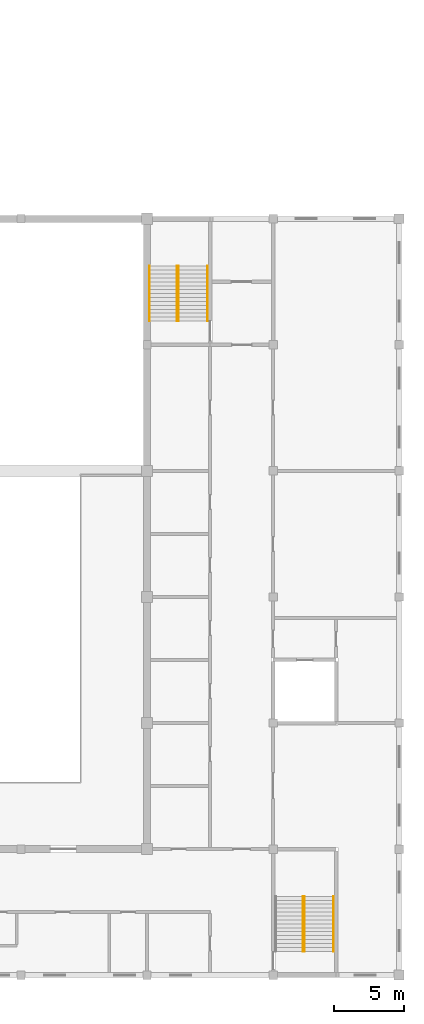
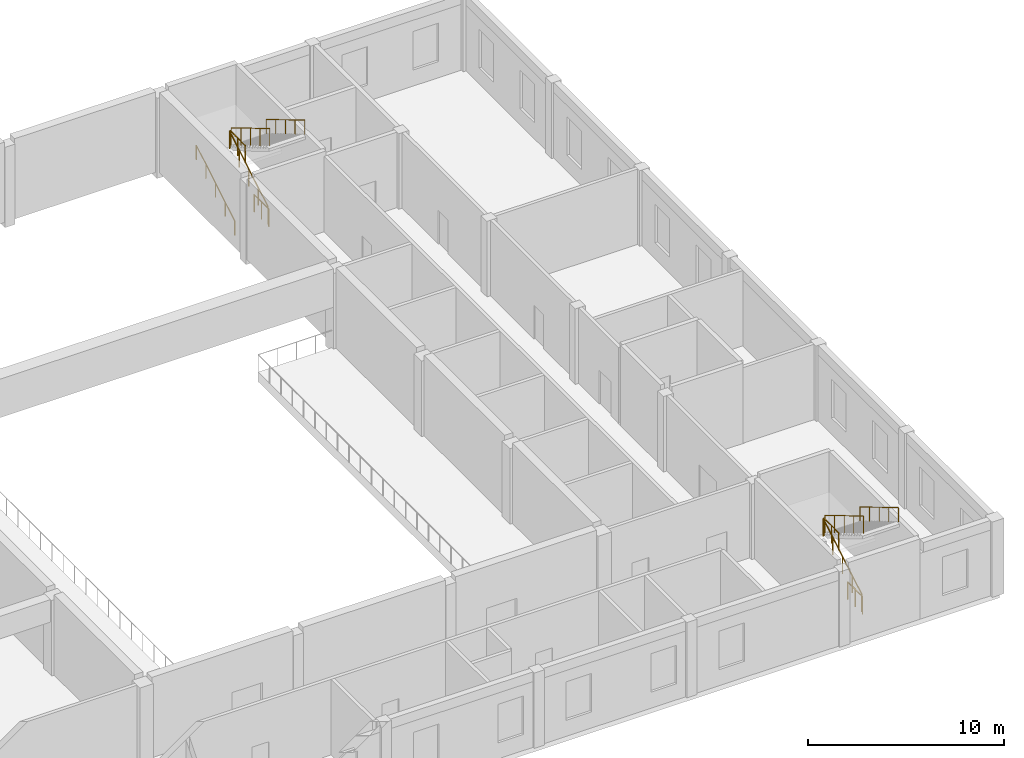
# One storey, part 33 of 34: 11 railings.
"""IFC4 building model written with IfcOpenShell, lengths in metres."""

from ifc_helpers import new_model, si_unit, direction, frame, origin, origin_2d, place, context, subcontext, project, spatial, circle, extrude, material, type_object, element, save


model = new_model("IFC4")

# Units and contexts
model_context = context("Model", 3, precision=1e-05, world=origin(), true_north=direction((0.0, 1.0)))
body_context = subcontext(model_context, "Body", "Model", "MODEL_VIEW")
ifc_project = project(units=[si_unit("LENGTHUNIT", "METRE"), si_unit("AREAUNIT", "SQUARE_METRE"), si_unit("VOLUMEUNIT", "CUBIC_METRE"), si_unit("PLANEANGLEUNIT", "RADIAN"), si_unit("MASSUNIT", "GRAM", prefix="KILO")], contexts=[model_context])

# Site, building, storey
site_placement = place(None, origin())
site = spatial("IfcSite", under=ifc_project, at=site_placement, CompositionType="ELEMENT")
building_placement = place(site_placement, origin())
building = spatial("IfcBuilding", under=site, at=building_placement, Name="Firuza Court", CompositionType="ELEMENT")
storey_placement = place(building_placement, frame((0.0, 0.0, 19.0)))
storey = spatial("IfcBuildingStorey", under=building, at=storey_placement, Name="L03", CompositionType="ELEMENT", Elevation=19.0)

# Railings
ifc_material_1 = material(Name="Steel S355", Category="steel")
railing_type_1 = type_object("IfcRailingType", Name="HALL HANDRAIL 900", PredefinedType="HANDRAIL", material=ifc_material_1)
railing_1_placement = place(storey_placement, frame((148.31005859375, -3.3798828125, 2.666748046875)))
element("IfcRailing", 1, at=railing_1_placement, inside=storey, type_object=railing_type_1, Name="Stair H2 flight 2 handrail L03", PredefinedType="HANDRAIL", context=body_context, shape_type="SweptSolid", body=[
    extrude(circle(Radius=0.02099609375, at=origin_2d()), frame((0.0, 0.0, 0.87890625), z_axis=(0.0, -0.859310244771, 0.511454693235), x_axis=(1.0, 0.0, 0.0)), (0.0, 0.0, 1.0), 4.56201171875),
    extrude(circle(Radius=0.02001953125, at=origin_2d()), origin(), (0.0, 0.0, 1.0), 0.85791015625),
    extrude(circle(Radius=0.02001953125, at=origin_2d()), frame((0.0, -0.97998046875, 0.583251953125)), (0.0, 0.0, 1.0), 0.85791015625),
    extrude(circle(Radius=0.02001953125, at=origin_2d()), frame((0.0, -1.9599609375, 1.16650390625)), (0.0, 0.0, 1.0), 0.85791015625),
    extrude(circle(Radius=0.02001953125, at=origin_2d()), frame((0.0, -2.940185546875, 1.75)), (0.0, 0.0, 1.0), 0.85791015625),
    extrude(circle(Radius=0.02001953125, at=origin_2d()), frame((0.0, -3.920166015625, 2.333251953125)), (0.0, 0.0, 1.0), 0.85791015625),
])
railing_2_placement = place(storey_placement, frame((135.18994140625, 37.699951171875, 0.166748046875)))
element("IfcRailing", 2, at=railing_2_placement, inside=storey, type_object=railing_type_1, Name="Stair H4 flight 1 handrail L03", PredefinedType="HANDRAIL", context=body_context, shape_type="SweptSolid", body=[
    extrude(circle(Radius=0.02099609375, at=origin_2d()), frame((0.0, 0.0, 0.87890625), z_axis=(0.0, 0.859310244771, 0.511454693235), x_axis=(-1.0, 0.0, 0.0)), (0.0, 0.0, 1.0), 4.56201171875),
    extrude(circle(Radius=0.02001953125, at=origin_2d()), origin(), (0.0, 0.0, 1.0), 0.85791015625),
    extrude(circle(Radius=0.02001953125, at=origin_2d()), frame((0.0, 0.97998046875, 0.583251953125)), (0.0, 0.0, 1.0), 0.85791015625),
    extrude(circle(Radius=0.02001953125, at=origin_2d()), frame((0.0, 1.9599609375, 1.16650390625)), (0.0, 0.0, 1.0), 0.85791015625),
    extrude(circle(Radius=0.02001953125, at=origin_2d()), frame((0.0, 2.940185546875, 1.75)), (0.0, 0.0, 1.0), 0.85791015625),
    extrude(circle(Radius=0.02001953125, at=origin_2d()), frame((0.0, 3.920166015625, 2.333251953125)), (0.0, 0.0, 1.0), 0.85791015625),
])
railing_3_placement = place(storey_placement, frame((139.31005859375, 41.6201171875, 2.666748046875)))
element("IfcRailing", 3, at=railing_3_placement, inside=storey, type_object=railing_type_1, Name="Stair H4 flight 2 handrail L03", PredefinedType="HANDRAIL", context=body_context, shape_type="SweptSolid", body=[
    extrude(circle(Radius=0.02099609375, at=origin_2d()), frame((0.0, 0.0, 0.87890625), z_axis=(0.0, -0.859310244771, 0.511454693235), x_axis=(1.0, 0.0, 0.0)), (0.0, 0.0, 1.0), 4.56201171875),
    extrude(circle(Radius=0.02001953125, at=origin_2d()), origin(), (0.0, 0.0, 1.0), 0.85791015625),
    extrude(circle(Radius=0.02001953125, at=origin_2d()), frame((0.0, -0.97998046875, 0.583251953125)), (0.0, 0.0, 1.0), 0.85791015625),
    extrude(circle(Radius=0.02001953125, at=origin_2d()), frame((0.0, -1.9599609375, 1.16650390625)), (0.0, 0.0, 1.0), 0.85791015625),
    extrude(circle(Radius=0.02001953125, at=origin_2d()), frame((0.0, -2.940185546875, 1.75)), (0.0, 0.0, 1.0), 0.85791015625),
    extrude(circle(Radius=0.02001953125, at=origin_2d()), frame((0.0, -3.920166015625, 2.333251953125)), (0.0, 0.0, 1.0), 0.85791015625),
])
ifc_material_2 = material(Name="Steel S355", Category="steel")
railing_type_2 = type_object("IfcRailingType", Name="HALL RAILING 1100", PredefinedType="GUARDRAIL", material=ifc_material_2)
railing_4_placement = place(storey_placement, frame((146.14990234375, -7.300048828125, 0.166748046875)))
element("IfcRailing", 4, at=railing_4_placement, inside=storey, type_object=railing_type_2, Name="Stair H2 flight 1 guard L03", PredefinedType="GUARDRAIL", context=body_context, shape_type="SweptSolid", body=[
    extrude(circle(Radius=0.02392578125, at=origin_2d()), frame((0.0, 0.0, 1.076171875), z_axis=(0.0, 0.859310244771, 0.511454693235), x_axis=(-1.0, 0.0, 0.0)), (0.0, 0.0, 1.0), 4.56201171875),
    extrude(circle(Radius=0.02099609375, at=origin_2d()), origin(), (0.0, 0.0, 1.0), 1.052001953125),
    extrude(circle(Radius=0.02099609375, at=origin_2d()), frame((0.0, 0.97998046875, 0.583251953125)), (0.0, 0.0, 1.0), 1.052001953125),
    extrude(circle(Radius=0.02099609375, at=origin_2d()), frame((0.0, 1.9599609375, 1.16650390625)), (0.0, 0.0, 1.0), 1.052001953125),
    extrude(circle(Radius=0.02099609375, at=origin_2d()), frame((0.0, 2.940185546875, 1.75)), (0.0, 0.0, 1.0), 1.052001953125),
    extrude(circle(Radius=0.02099609375, at=origin_2d()), frame((0.0, 3.920166015625, 2.333251953125)), (0.0, 0.0, 1.0), 1.052001953125),
])
railing_5_placement = place(storey_placement, frame((146.25, -3.3798828125, 2.666748046875)))
element("IfcRailing", 5, at=railing_5_placement, inside=storey, type_object=railing_type_2, Name="Stair H2 flight 2 guard L03", PredefinedType="GUARDRAIL", context=body_context, shape_type="SweptSolid", body=[
    extrude(circle(Radius=0.02392578125, at=origin_2d()), frame((0.0, 0.0, 1.076171875), z_axis=(0.0, -0.859310244771, 0.511454693235), x_axis=(1.0, 0.0, 0.0)), (0.0, 0.0, 1.0), 4.56201171875),
    extrude(circle(Radius=0.02099609375, at=origin_2d()), origin(), (0.0, 0.0, 1.0), 1.052001953125),
    extrude(circle(Radius=0.02099609375, at=origin_2d()), frame((0.0, -0.97998046875, 0.583251953125)), (0.0, 0.0, 1.0), 1.052001953125),
    extrude(circle(Radius=0.02099609375, at=origin_2d()), frame((0.0, -1.9599609375, 1.16650390625)), (0.0, 0.0, 1.0), 1.052001953125),
    extrude(circle(Radius=0.02099609375, at=origin_2d()), frame((0.0, -2.940185546875, 1.75)), (0.0, 0.0, 1.0), 1.052001953125),
    extrude(circle(Radius=0.02099609375, at=origin_2d()), frame((0.0, -3.920166015625, 2.333251953125)), (0.0, 0.0, 1.0), 1.052001953125),
])
railing_6_placement = place(storey_placement, frame((146.199951171875, -4.8798828125, 2.5)))
element("IfcRailing", 6, at=railing_6_placement, inside=storey, type_object=railing_type_2, Name="Stair H2 landing guard 1 L03", PredefinedType="GUARDRAIL", context=body_context, shape_type="SweptSolid", body=[
    extrude(circle(Radius=0.02392578125, at=origin_2d()), frame((0.0, 0.0, 1.076171875), z_axis=(0.0, 1.0, 0.0), x_axis=(-1.0, 0.0, 0.0)), (0.0, 0.0, 1.0), 1.5),
    extrude(circle(Radius=0.02099609375, at=origin_2d()), origin(), (0.0, 0.0, 1.0), 1.052001953125),
    extrude(circle(Radius=0.02099609375, at=origin_2d()), frame((0.0, 0.75, 0.0)), (0.0, 0.0, 1.0), 1.052001953125),
    extrude(circle(Radius=0.02099609375, at=origin_2d()), frame((0.0, 1.5, 0.0)), (0.0, 0.0, 1.0), 1.052001953125),
])
railing_7_placement = place(storey_placement, frame((137.14990234375, 37.699951171875, 0.166748046875)))
element("IfcRailing", 7, at=railing_7_placement, inside=storey, type_object=railing_type_2, Name="Stair H4 flight 1 guard L03", PredefinedType="GUARDRAIL", context=body_context, shape_type="SweptSolid", body=[
    extrude(circle(Radius=0.02392578125, at=origin_2d()), frame((0.0, 0.0, 1.076171875), z_axis=(0.0, 0.859310244771, 0.511454693235), x_axis=(-1.0, 0.0, 0.0)), (0.0, 0.0, 1.0), 4.56201171875),
    extrude(circle(Radius=0.02099609375, at=origin_2d()), origin(), (0.0, 0.0, 1.0), 1.052001953125),
    extrude(circle(Radius=0.02099609375, at=origin_2d()), frame((0.0, 0.97998046875, 0.583251953125)), (0.0, 0.0, 1.0), 1.052001953125),
    extrude(circle(Radius=0.02099609375, at=origin_2d()), frame((0.0, 1.9599609375, 1.16650390625)), (0.0, 0.0, 1.0), 1.052001953125),
    extrude(circle(Radius=0.02099609375, at=origin_2d()), frame((0.0, 2.940185546875, 1.75)), (0.0, 0.0, 1.0), 1.052001953125),
    extrude(circle(Radius=0.02099609375, at=origin_2d()), frame((0.0, 3.920166015625, 2.333251953125)), (0.0, 0.0, 1.0), 1.052001953125),
])
railing_8_placement = place(storey_placement, frame((137.25, 41.6201171875, 2.666748046875)))
element("IfcRailing", 8, at=railing_8_placement, inside=storey, type_object=railing_type_2, Name="Stair H4 flight 2 guard L03", PredefinedType="GUARDRAIL", context=body_context, shape_type="SweptSolid", body=[
    extrude(circle(Radius=0.02392578125, at=origin_2d()), frame((0.0, 0.0, 1.076171875), z_axis=(0.0, -0.859310244771, 0.511454693235), x_axis=(1.0, 0.0, 0.0)), (0.0, 0.0, 1.0), 4.56201171875),
    extrude(circle(Radius=0.02099609375, at=origin_2d()), origin(), (0.0, 0.0, 1.0), 1.052001953125),
    extrude(circle(Radius=0.02099609375, at=origin_2d()), frame((0.0, -0.97998046875, 0.583251953125)), (0.0, 0.0, 1.0), 1.052001953125),
    extrude(circle(Radius=0.02099609375, at=origin_2d()), frame((0.0, -1.9599609375, 1.16650390625)), (0.0, 0.0, 1.0), 1.052001953125),
    extrude(circle(Radius=0.02099609375, at=origin_2d()), frame((0.0, -2.940185546875, 1.75)), (0.0, 0.0, 1.0), 1.052001953125),
    extrude(circle(Radius=0.02099609375, at=origin_2d()), frame((0.0, -3.920166015625, 2.333251953125)), (0.0, 0.0, 1.0), 1.052001953125),
])
for number, where, name in (
    (9, (137.199951171875, 40.1201171875, 2.5), "Stair H4 landing guard 1 L03"),
    (10, (146.199951171875, -7.300048828125, 0.0), "Stair H2 floor guard L03"),
    (11, (137.199951171875, 37.699951171875, 0.0), "Stair H4 floor guard L03"),
):
    element("IfcRailing", number, at=place(storey_placement, frame(where)), inside=storey, type_object=railing_type_2, Name=name, PredefinedType="GUARDRAIL", context=body_context, shape_type="SweptSolid", body=[
        extrude(circle(Radius=0.02392578125, at=origin_2d()), frame((0.0, 0.0, 1.076171875), z_axis=(0.0, 1.0, 0.0), x_axis=(-1.0, 0.0, 0.0)), (0.0, 0.0, 1.0), 1.5),
        extrude(circle(Radius=0.02099609375, at=origin_2d()), origin(), (0.0, 0.0, 1.0), 1.052001953125),
        extrude(circle(Radius=0.02099609375, at=origin_2d()), frame((0.0, 0.75, 0.0)), (0.0, 0.0, 1.0), 1.052001953125),
        extrude(circle(Radius=0.02099609375, at=origin_2d()), frame((0.0, 1.5, 0.0)), (0.0, 0.0, 1.0), 1.052001953125),
    ])

save(model, "model.ifc")
